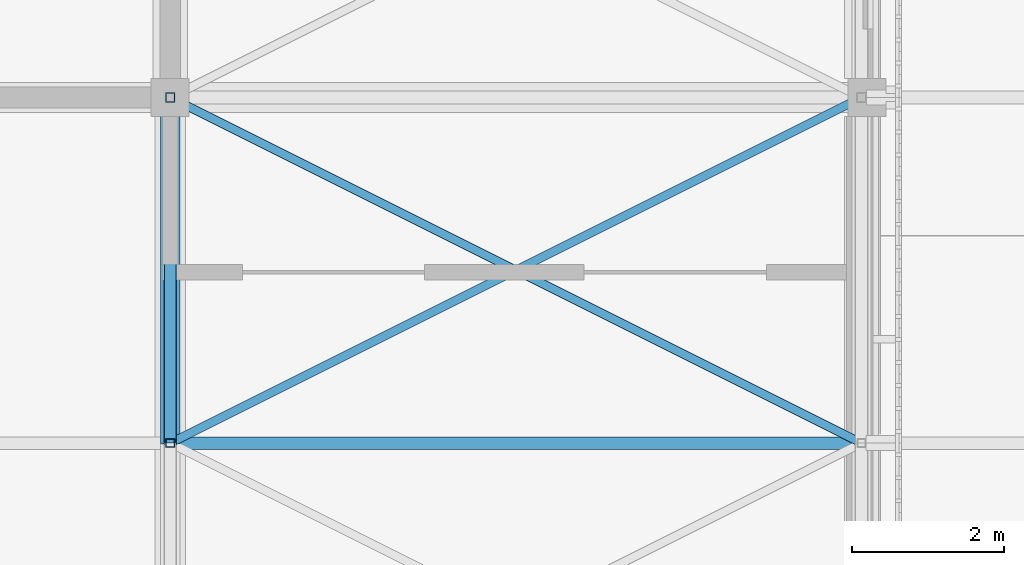
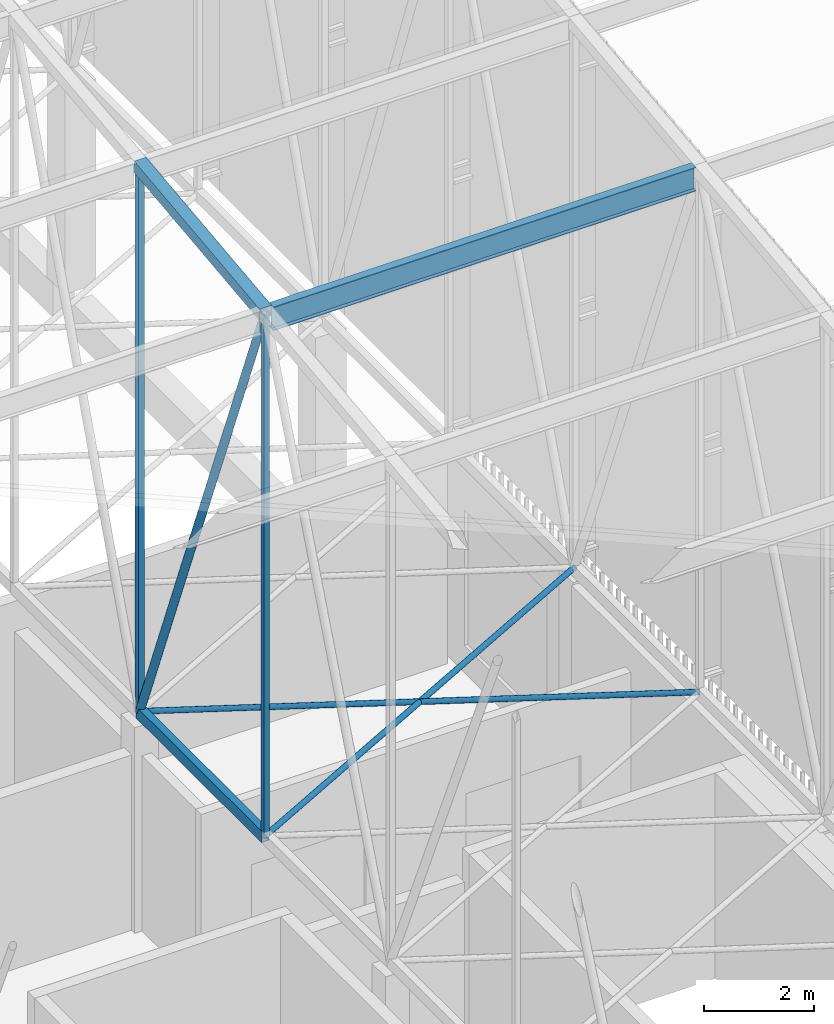
# One storey, part 355 of 500: 8 members.
"""IFC4 building model written with IfcOpenShell, lengths in metres."""

from ifc_helpers import new_model, si_unit, direction, frame, origin, origin_2d, place, context, subcontext, project, spatial, hollow_rectangle, hollow_circle, i_section, extrude, material, material_profile, profile_set, type_object, element, save


model = new_model("IFC4")

# Units and contexts
model_context = context("Model", 3, precision=1e-05, world=origin(), true_north=direction((0.0, 1.0)))
body_context = subcontext(model_context, "Body", "Model", "MODEL_VIEW")
ifc_project = project(units=[si_unit("LENGTHUNIT", "METRE"), si_unit("AREAUNIT", "SQUARE_METRE"), si_unit("VOLUMEUNIT", "CUBIC_METRE"), si_unit("PLANEANGLEUNIT", "RADIAN"), si_unit("MASSUNIT", "GRAM", prefix="KILO")], contexts=[model_context])

# Site, building, storey
site_placement = place(None, origin())
site = spatial("IfcSite", under=ifc_project, at=site_placement, CompositionType="ELEMENT")
building_placement = place(site_placement, origin())
building = spatial("IfcBuilding", under=site, at=building_placement, Name="Shirokan Park Arena", CompositionType="ELEMENT")
storey_placement = place(building_placement, frame((0.0, 0.0, 29.1201171875)))
storey = spatial("IfcBuildingStorey", under=building, at=storey_placement, Name="L06", CompositionType="ELEMENT", Elevation=29.1201171875)

# Members
ifc_material_1 = material(Name="Steel ASTM A500 Grade C", Category="steel")
ifc_material_profile_1 = material_profile(ifc_material_1, hollow_rectangle(XDim=0.152099609375, YDim=0.25390625, WallThickness=0.009521484375, at=origin_2d()), Name="HSS254X152.4X9.5")
ifc_profile_set_1 = profile_set([ifc_material_profile_1], Name="Steel ASTM A500 Grade C")
member_type_1 = type_object("IfcMemberType", Name="Bottom chord HSS254X152.4X9.5", PredefinedType="CHORD", material=ifc_profile_set_1)
member_1_placement = place(storey_placement, frame((136.5, 31.85009765625, 4.677001953125), z_axis=(0.0, 1.0, 0.0), x_axis=(-1.0, 0.0, 0.0)))
element("IfcMember", 1, at=member_1_placement, inside=storey, type_object=member_type_1, Name="Truss T16 bottom chord 10", PredefinedType="CHORD", context=body_context, shape_type="SweptSolid", body=[
    extrude(hollow_rectangle(XDim=0.152099609375, YDim=0.25390625, WallThickness=0.009521484375, at=origin_2d()), origin(), (0.0, 0.0, 1.0), 4.5498046875),
])
ifc_material_profile_2 = material_profile(ifc_material_1, hollow_circle(Radius=0.056884765625, WallThickness=0.006103515625, at=origin_2d()), Name="HSS114.3X6")
ifc_profile_set_2 = profile_set([ifc_material_profile_2], Name="Steel ASTM A500 Grade C")
member_type_2 = type_object("IfcMemberType", Name="Plan bracing HSS114.3X6", PredefinedType="BRACE", material=ifc_profile_set_2)
for number, where, z_axis, x_axis, name in (
    (2, (136.5, 31.85009765625, 4.677001953125), (0.8944367893, 0.447194398385, 0.0), (-0.447194398385, 0.8944367893, 0.0), "Plan bracing bay 16 panel 10 A"),
    (3, (145.60009765625, 31.85009765625, 4.677001953125), (-0.8944367893, 0.447194398385, 0.0), (-0.447194398385, -0.8944367893, 0.0), "Plan bracing bay 16 panel 10 B"),
):
    element("IfcMember", number, at=place(storey_placement, frame(where, z_axis=z_axis, x_axis=x_axis)), inside=storey, type_object=member_type_2, Name=name, PredefinedType="BRACE", context=body_context, shape_type="SweptSolid", body=[
        extrude(hollow_circle(Radius=0.056884765625, WallThickness=0.006103515625, at=origin_2d()), origin(), (0.0, 0.0, 1.0), 10.174072265625),
    ])
ifc_material_2 = material(Name="Steel ASTM A992", Category="steel")
ifc_material_profile_3 = material_profile(ifc_material_2, i_section(OverallWidth=0.166015625, OverallDepth=0.528076171875, WebThickness=0.009765625, FlangeThickness=0.013671875, at=origin_2d()), Name="W530X74")
ifc_profile_set_3 = profile_set([ifc_material_profile_3], Name="Steel ASTM A992")
member_type_3 = type_object("IfcMemberType", Name="Purlin W530X74", PredefinedType="PURLIN", material=ifc_profile_set_3)
member_2_placement = place(storey_placement, frame((136.626953125, 31.85009765625, 16.1259765625), z_axis=(1.0, 0.0, 0.0), x_axis=(0.0, 1.0, 0.0)))
element("IfcMember", 4, at=member_2_placement, inside=storey, type_object=member_type_3, Name="Purlin 10 bay 16", PredefinedType="PURLIN", context=body_context, shape_type="SweptSolid", body=[
    extrude(i_section(OverallWidth=0.166015625, OverallDepth=0.528076171875, WebThickness=0.009765625, FlangeThickness=0.013671875, at=origin_2d()), origin(), (0.0, 0.0, 1.0), 8.845947265625),
])
ifc_material_profile_4 = material_profile(ifc_material_1, hollow_rectangle(XDim=0.25390625, YDim=0.25390625, WallThickness=0.009521484375, at=origin_2d()), Name="HSS254X254X9.5")
ifc_profile_set_4 = profile_set([ifc_material_profile_4], Name="Steel ASTM A500 Grade C")
member_type_4 = type_object("IfcMemberType", Name="Top chord HSS254X254X9.5", PredefinedType="CHORD", material=ifc_profile_set_4)
member_3_placement = place(storey_placement, frame((136.5, 31.85009765625, 16.262939453125), z_axis=(0.0, 0.993531641592, 0.11355561261), x_axis=(-1.0, 0.0, 0.0)))
element("IfcMember", 5, at=member_3_placement, inside=storey, type_object=member_type_4, Name="Truss T16 top chord 10", PredefinedType="CHORD", context=body_context, shape_type="SweptSolid", body=[
    extrude(hollow_rectangle(XDim=0.25390625, YDim=0.25390625, WallThickness=0.009521484375, at=origin_2d()), origin(), (0.0, 0.0, 1.0), 4.579345703125),
])
ifc_material_profile_5 = material_profile(ifc_material_1, hollow_circle(Radius=0.083984375, WallThickness=0.009521484375, at=origin_2d()), Name="HSS168.3X9.5")
ifc_profile_set_5 = profile_set([ifc_material_profile_5], Name="Steel ASTM A500 Grade C")
member_type_5 = type_object("IfcMemberType", Name="Truss diagonal HSS168.3X9.5", PredefinedType="BRACE", material=ifc_profile_set_5)
member_4_placement = place(storey_placement, frame((136.5, 31.85009765625, 16.262939453125), z_axis=(0.0, 0.365526146051, -0.930801072493), x_axis=(-1.0, 0.0, 0.0)))
element("IfcMember", 6, at=member_4_placement, inside=storey, type_object=member_type_5, Name="Truss T16 diagonal 10", PredefinedType="BRACE", context=body_context, shape_type="SweptSolid", body=[
    extrude(hollow_circle(Radius=0.083984375, WallThickness=0.009521484375, at=origin_2d()), origin(), (0.0, 0.0, 1.0), 12.447265625),
])
ifc_material_profile_6 = material_profile(ifc_material_1, hollow_rectangle(XDim=0.114013671875, YDim=0.114013671875, WallThickness=0.00634765625, at=origin_2d()), Name="HSS114.3X114.3X6.4")
ifc_profile_set_6 = profile_set([ifc_material_profile_6], Name="Steel ASTM A500 Grade C")
member_type_6 = type_object("IfcMemberType", Name="Truss post HSS114.3X114.3X6.4", PredefinedType="POST", material=ifc_profile_set_6)
member_5_placement = place(storey_placement, frame((136.5, 31.85009765625, 4.677001953125), z_axis=(0.0, 0.0, 1.0), x_axis=(1.0, 0.0, 0.0)))
element("IfcMember", 7, at=member_5_placement, inside=storey, type_object=member_type_6, Name="Truss T16 post 10", PredefinedType="POST", context=body_context, shape_type="SweptSolid", body=[
    extrude(hollow_rectangle(XDim=0.114013671875, YDim=0.114013671875, WallThickness=0.00634765625, at=origin_2d()), origin(), (0.0, 0.0, 1.0), 11.5859375),
])
ifc_material_profile_7 = material_profile(ifc_material_1, hollow_rectangle(XDim=0.126953125, YDim=0.126953125, WallThickness=0.0126953125, at=origin_2d()), Name="HSS127X127X12.7")
ifc_profile_set_7 = profile_set([ifc_material_profile_7], Name="Steel ASTM A500 Grade C")
member_type_7 = type_object("IfcMemberType", Name="Truss post HSS127X127X12.7", PredefinedType="POST", material=ifc_profile_set_7)
member_6_placement = place(storey_placement, frame((136.5, 36.39990234375, 4.677001953125), z_axis=(0.0, 0.0, 1.0), x_axis=(1.0, 0.0, 0.0)))
element("IfcMember", 8, at=member_6_placement, inside=storey, type_object=member_type_7, Name="Truss T16 post 11", PredefinedType="POST", context=body_context, shape_type="SweptSolid", body=[
    extrude(hollow_rectangle(XDim=0.126953125, YDim=0.126953125, WallThickness=0.0126953125, at=origin_2d()), origin(), (0.0, 0.0, 1.0), 12.10595703125),
])

save(model, "model.ifc")
